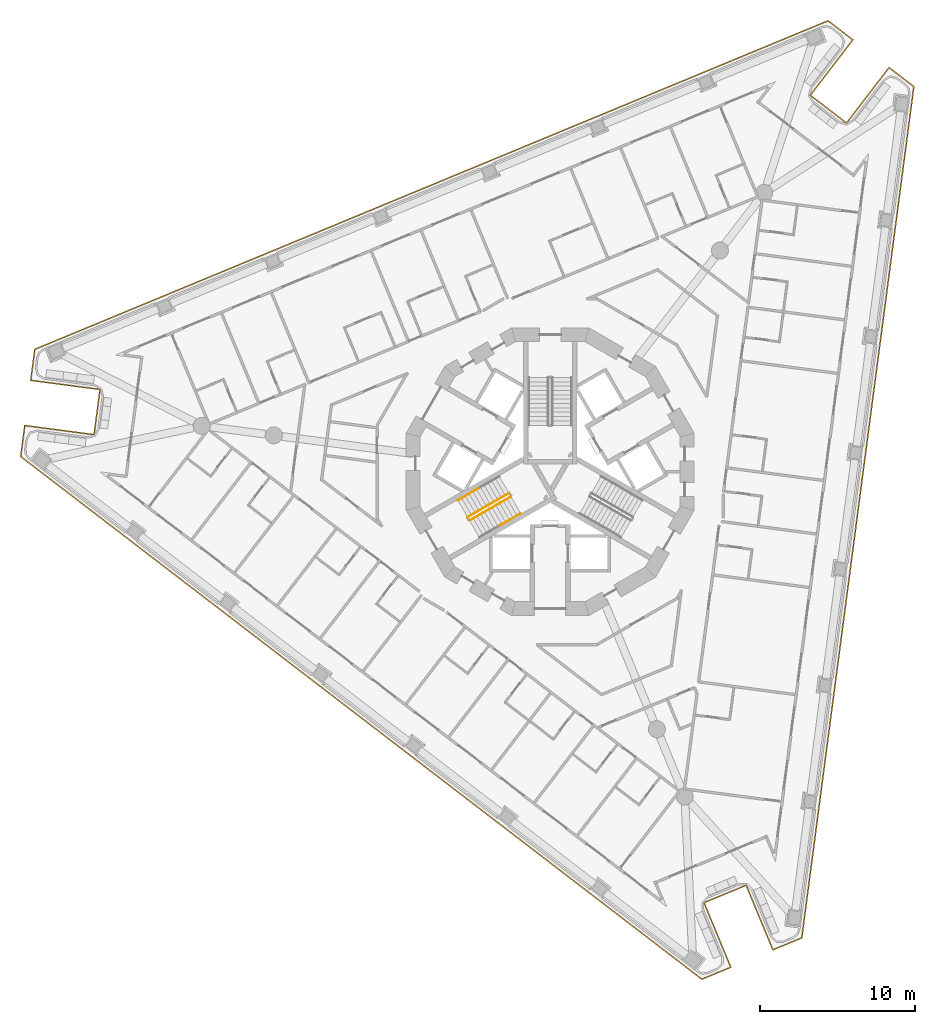
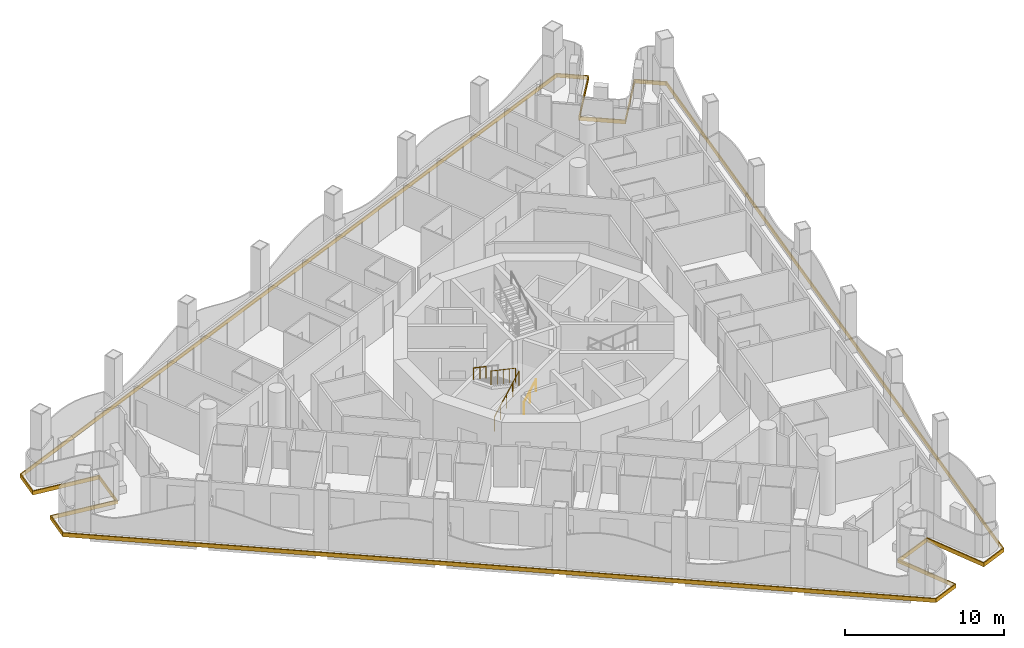
# One storey, part 12 of 17: 4 railings, 1 covering.
"""IFC4 building model written with IfcOpenShell, lengths in metres."""

from ifc_helpers import new_model, si_unit, direction, frame, origin, origin_2d, place, context, subcontext, project, spatial, polyline, circle, outline, extrude, material, layer, layer_set, type_object, element, save


model = new_model("IFC4")

# Units and contexts
model_context = context("Model", 3, precision=1e-05, world=origin(), true_north=direction((0.0, 1.0)))
body_context = subcontext(model_context, "Body", "Model", "MODEL_VIEW")
ifc_project = project(units=[si_unit("LENGTHUNIT", "METRE"), si_unit("AREAUNIT", "SQUARE_METRE"), si_unit("VOLUMEUNIT", "CUBIC_METRE"), si_unit("PLANEANGLEUNIT", "RADIAN"), si_unit("MASSUNIT", "GRAM", prefix="KILO")], contexts=[model_context])

# Site, building, storey
site_placement = place(None, origin())
site = spatial("IfcSite", under=ifc_project, at=site_placement, CompositionType="ELEMENT")
building_placement = place(site_placement, origin())
building = spatial("IfcBuilding", under=site, at=building_placement, Name="Trine Commons Tower", CompositionType="ELEMENT")
storey_placement = place(building_placement, frame((0.0, 0.0, 153.0)))
storey = spatial("IfcBuildingStorey", under=building, at=storey_placement, Name="L39", CompositionType="ELEMENT", Elevation=153.0)

# Covering
ifc_material_1 = material(Name="Limestone, honed", Category="masonry")
ifc_layer = layer(ifc_material_1, 0.074951171875)
ifc_layer_set = layer_set([ifc_layer], Name="Limestone, honed")
covering_type = type_object("IfcCoveringType", Name="Limestone spandrel panel 75", PredefinedType="CLADDING", material=ifc_layer_set)
covering_placement = place(storey_placement, frame((0.0, 0.0, -0.300048828125)))
element("IfcCovering", 1, at=covering_placement, inside=storey, type_object=covering_type, Name="Limestone spandrel panel 4-01", PredefinedType="CLADDING", context=body_context, shape_type="SweptSolid", body=[
    extrude(outline(polyline([(92.5986328125, 35.80810546875), (94.32080078125, 31.650634765625), (96.24462890625, 32.447509765625), (103.46923828125, 87.32421875), (101.817138671875, 88.591796875), (99.07763671875, 85.021728515625), (96.816650390625, 86.756591796875), (99.55615234375, 90.326904296875), (97.904052734375, 91.594482421875), (46.76708984375, 70.412841796875), (46.495361328125, 68.348388671875), (50.956787109375, 67.760986328125), (50.584716796875, 64.935302734375), (46.123291015625, 65.522705078125), (45.8515625, 63.4580078125), (89.763671875, 29.762939453125), (91.6875, 30.559814453125), (89.965576171875, 34.71728515625), (92.5986328125, 35.80810546875)]), holes=[polyline([(101.8310546875, 88.48681640625), (103.38916015625, 87.291015625), (96.17578125, 32.500244140625), (94.361328125, 31.74853515625), (92.63916015625, 35.906005859375), (89.867431640625, 34.758056640625), (91.589599609375, 30.6005859375), (89.77490234375, 29.848876953125), (45.931396484375, 63.4912109375), (46.187744140625, 65.4384765625), (50.6494140625, 64.85107421875), (51.041015625, 67.825439453125), (46.579345703125, 68.412841796875), (46.835693359375, 70.360107421875), (97.892578125, 91.508544921875), (99.450927734375, 90.31298828125), (96.71142578125, 86.742919921875), (99.091552734375, 84.91650390625), (101.8310546875, 88.48681640625)])]), origin(), (0.0, 0.0, 1.0), 0.300048828125),
])

# Railings
ifc_material_2 = material(Name="Stainless steel balustrade", Category="steel")
railing_type_1 = type_object("IfcRailingType", Name="Stair guard, steel balustrade 1100", PredefinedType="GUARDRAIL", material=ifc_material_2)
railing_1_placement = place(storey_placement, frame((74.80517578125, 59.3564453125, 0.14990234375)))
element("IfcRailing", 2, at=railing_1_placement, inside=storey, type_object=railing_type_1, Name="L39 ST2B stair guard 1", PredefinedType="GUARDRAIL", context=body_context, shape_type="SweptSolid", body=[
    extrude(circle(Radius=0.02392578125, at=origin_2d()), frame((0.0, 0.0, 1.076171875), z_axis=(0.763379768245, 0.440728498818, 0.472239049384), x_axis=(-0.499992328818, 0.866029832698, 0.0)), (0.0, 0.0, 1.0), 3.494384765625),
    extrude(circle(Radius=0.02099609375, at=origin_2d()), origin(), (0.0, 0.0, 1.0), 1.052001953125),
    extrude(circle(Radius=0.02099609375, at=origin_2d()), frame((0.6669921875, 0.385009765625, 0.41259765625)), (0.0, 0.0, 1.0), 1.052001953125),
    extrude(circle(Radius=0.02099609375, at=origin_2d()), frame((1.333740234375, 0.77001953125, 0.8251953125)), (0.0, 0.0, 1.0), 1.052001953125),
    extrude(circle(Radius=0.02099609375, at=origin_2d()), frame((2.00048828125, 1.155029296875, 1.237548828125)), (0.0, 0.0, 1.0), 1.052001953125),
    extrude(circle(Radius=0.02099609375, at=origin_2d()), frame((2.66748046875, 1.5400390625, 1.650146484375)), (0.0, 0.0, 1.0), 1.052001953125),
])
railing_2_placement = place(storey_placement, frame((77.34765625, 61.113037109375, 1.949951171875)))
element("IfcRailing", 3, at=railing_2_placement, inside=storey, type_object=railing_type_1, Name="L39 ST2B stair guard 3", PredefinedType="GUARDRAIL", context=body_context, shape_type="SweptSolid", body=[
    extrude(circle(Radius=0.02392578125, at=origin_2d()), frame((0.0, 0.0, 1.076171875), z_axis=(-0.763379768245, -0.440728498818, 0.472239049384), x_axis=(0.499992328818, -0.866029832698, 0.0)), (0.0, 0.0, 1.0), 3.494384765625),
    extrude(circle(Radius=0.02099609375, at=origin_2d()), origin(), (0.0, 0.0, 1.0), 1.052001953125),
    extrude(circle(Radius=0.02099609375, at=origin_2d()), frame((-0.6669921875, -0.385009765625, 0.41259765625)), (0.0, 0.0, 1.0), 1.052001953125),
    extrude(circle(Radius=0.02099609375, at=origin_2d()), frame((-1.333740234375, -0.77001953125, 0.8251953125)), (0.0, 0.0, 1.0), 1.052001953125),
    extrude(circle(Radius=0.02099609375, at=origin_2d()), frame((-2.00048828125, -1.155029296875, 1.237548828125)), (0.0, 0.0, 1.0), 1.052001953125),
    extrude(circle(Radius=0.02099609375, at=origin_2d()), frame((-2.66748046875, -1.5400390625, 1.650146484375)), (0.0, 0.0, 1.0), 1.052001953125),
])
ifc_material_3 = material(Name="Stainless steel handrail", Category="steel")
railing_type_2 = type_object("IfcRailingType", Name="Stair handrail, steel 900", PredefinedType="HANDRAIL", material=ifc_material_3)
railing_3_placement = place(storey_placement, frame((76.763916015625, 59.0439453125, 0.97509765625)))
element("IfcRailing", 4, at=railing_3_placement, inside=storey, type_object=railing_type_2, Name="L39 ST2B stair handrail 2", PredefinedType="HANDRAIL", context=body_context, shape_type="SweptSolid", body=[
    extrude(circle(Radius=0.02099609375, at=origin_2d()), frame((0.0, 0.0, 0.87890625), z_axis=(0.76340495495, 0.440743040072, 0.472184759798), x_axis=(-0.499992328818, 0.866029832698, 0.0)), (0.0, 0.0, 1.0), 1.7470703125),
    extrude(circle(Radius=0.01513671875, at=origin_2d()), origin(), (0.0, 0.0, 1.0), 0.85791015625),
    extrude(circle(Radius=0.01513671875, at=origin_2d()), frame((0.6669921875, 0.385009765625, 0.41259765625)), (0.0, 0.0, 1.0), 0.85791015625),
    extrude(circle(Radius=0.01513671875, at=origin_2d()), frame((1.333740234375, 0.77001953125, 0.824951171875)), (0.0, 0.0, 1.0), 0.85791015625),
])
railing_4_placement = place(storey_placement, frame((75.388916015625, 61.425537109375, 2.77490234375)))
element("IfcRailing", 5, at=railing_4_placement, inside=storey, type_object=railing_type_2, Name="L39 ST2B stair handrail 4", PredefinedType="HANDRAIL", context=body_context, shape_type="SweptSolid", body=[
    extrude(circle(Radius=0.02099609375, at=origin_2d()), frame((0.0, 0.0, 0.87890625), z_axis=(-0.763354580307, -0.440713956853, 0.472293333596), x_axis=(0.499992328818, -0.866029832698, 0.0)), (0.0, 0.0, 1.0), 1.747314453125),
    extrude(circle(Radius=0.01513671875, at=origin_2d()), origin(), (0.0, 0.0, 1.0), 0.85791015625),
    extrude(circle(Radius=0.01513671875, at=origin_2d()), frame((-0.6669921875, -0.385009765625, 0.41259765625)), (0.0, 0.0, 1.0), 0.85791015625),
    extrude(circle(Radius=0.01513671875, at=origin_2d()), frame((-1.333740234375, -0.77001953125, 0.8251953125)), (0.0, 0.0, 1.0), 0.85791015625),
])

save(model, "model.ifc")
